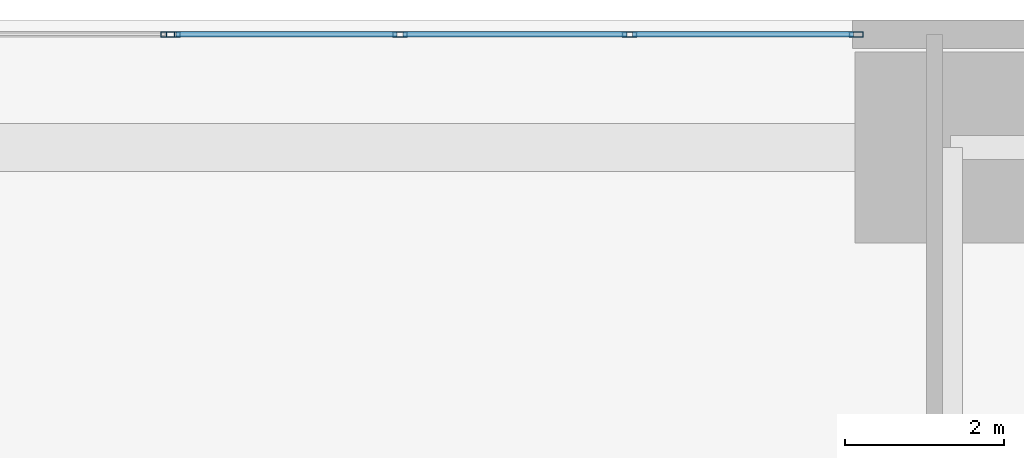
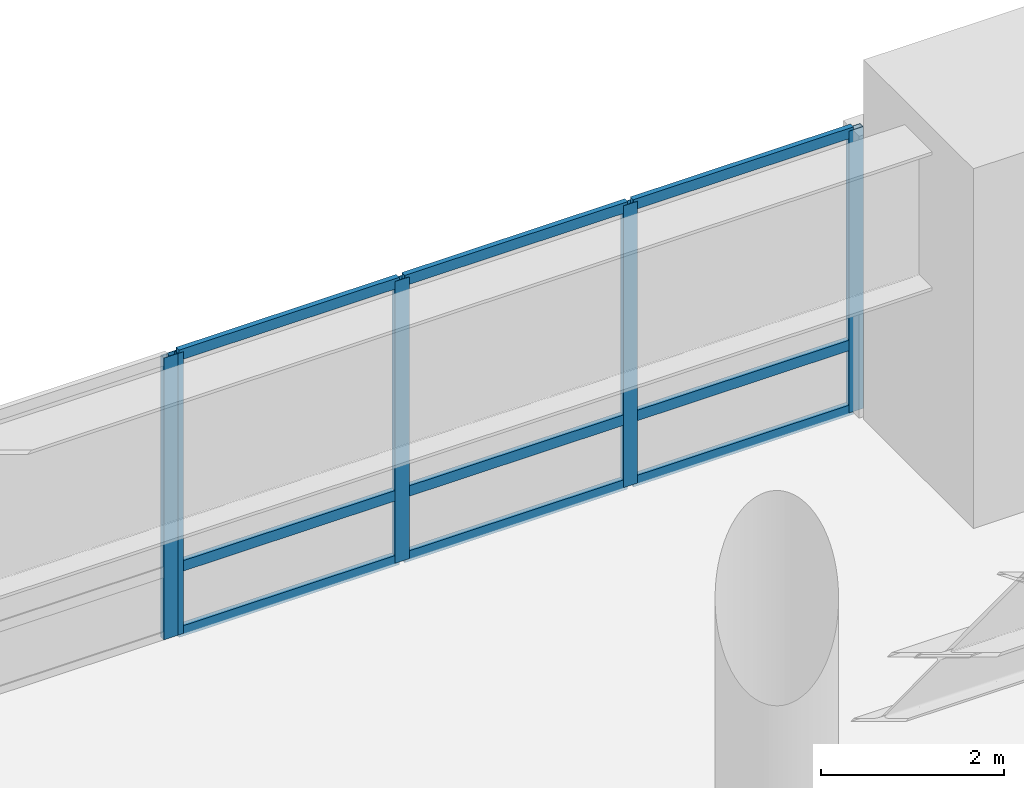
# One storey, part 12 of 17: 14 members, 2 elements without a shape of their own.
"""IFC4 building model written with IfcOpenShell, lengths in metres."""

from ifc_helpers import new_model, si_unit, direction, frame, origin, origin_2d, place, context, subcontext, project, spatial, hollow_rectangle, extrude, material, layer, layer_set, material_profile, profile_set, type_object, element, aggregate, save


model = new_model("IFC4")

# Units and contexts
model_context = context("Model", 3, precision=1e-05, world=origin(), true_north=direction((0.0, 1.0)))
body_context = subcontext(model_context, "Body", "Model", "MODEL_VIEW")
ifc_project = project(units=[si_unit("LENGTHUNIT", "METRE"), si_unit("AREAUNIT", "SQUARE_METRE"), si_unit("VOLUMEUNIT", "CUBIC_METRE"), si_unit("PLANEANGLEUNIT", "RADIAN"), si_unit("MASSUNIT", "GRAM", prefix="KILO"), si_unit("THERMODYNAMICTEMPERATUREUNIT", "KELVIN"), si_unit("POWERUNIT", "WATT")], contexts=[model_context])

# Site, building, storey
site_placement = place(None, origin())
site = spatial("IfcSite", under=ifc_project, at=site_placement, CompositionType="ELEMENT")
building_placement = place(site_placement, origin())
building = spatial("IfcBuilding", under=site, at=building_placement, Name="Ocrelia Relay Tower", CompositionType="ELEMENT")
storey_placement = place(building_placement, frame((0.0, 0.0, 15.60009765625)))
storey = spatial("IfcBuildingStorey", under=building, at=storey_placement, Name="L03", CompositionType="ELEMENT", Elevation=15.60009765625)

# Curtain wall, member
ifc_material_1 = material(Name="Aluminium and solar-control low-E glass", Category="aluminium")
ifc_layer = layer(ifc_material_1, 0.179931640625, Name="Aluminium and solar-control low-E glass")
ifc_layer_set = layer_set([ifc_layer], Name="Aluminium and solar-control low-E glass")
curtain_wall_type = type_object("IfcCurtainWallType", Name="CW-SYS-POD-GALL", PredefinedType="NOTDEFINED", material=ifc_layer_set)
curtain_wall_1_placement = place(storey_placement, origin())
curtain_wall_1 = element("IfcCurtainWall", 1, at=curtain_wall_1_placement, inside=storey, type_object=curtain_wall_type, Name="L03 North Over-Arch Curtain Wall West", PredefinedType="NOTDEFINED")
ifc_material_2 = material(Name="Anodised bronze aluminium", Category="aluminium")
ifc_material_profile_1 = material_profile(ifc_material_2, hollow_rectangle(XDim=0.070068359375, YDim=0.179931640625, WallThickness=0.006103515625, at=origin_2d()), Name="CW-MUL-180x70")
ifc_profile_set_1 = profile_set([ifc_material_profile_1], Name="Anodised bronze aluminium")
member_type_1 = type_object("IfcMemberType", Name="CW-SYS-POD-GALL-MUL", PredefinedType="MULLION", material=ifc_profile_set_1)
member_1_placement = place(storey_placement, frame((33.965087890625, 51.820068359375, 0.0), z_axis=(0.0, 0.0, 1.0), x_axis=(0.0, 1.0, 0.0)))
member_1 = element("IfcMember", 2, at=member_1_placement, type_object=member_type_1, Name="CW-PG mullion 4", PredefinedType="MULLION", context=body_context, shape_type="SweptSolid", body=[
    extrude(hollow_rectangle(XDim=0.070068359375, YDim=0.179931640625, WallThickness=0.006103515625, at=origin_2d()), origin(), (0.0, 0.0, 1.0), 3.760009765625),
])
aggregate(curtain_wall_1, [member_1])

# Curtain wall, members
curtain_wall_2_placement = place(storey_placement, origin())
curtain_wall_2 = element("IfcCurtainWall", 3, at=curtain_wall_2_placement, inside=storey, type_object=curtain_wall_type, Name="L03 North Over-Arch Curtain Wall East", PredefinedType="NOTDEFINED")
member_2_placement = place(storey_placement, frame((34.034912109375, 51.820068359375, 0.0), z_axis=(0.0, 0.0, 1.0), x_axis=(0.0, 1.0, 0.0)))
member_2 = element("IfcMember", 4, at=member_2_placement, type_object=member_type_1, Name="CW-PG mullion 1", PredefinedType="MULLION", context=body_context, shape_type="SweptSolid", body=[
    extrude(hollow_rectangle(XDim=0.070068359375, YDim=0.179931640625, WallThickness=0.006103515625, at=origin_2d()), origin(), (0.0, 0.0, 1.0), 3.760009765625),
])
member_3_placement = place(storey_placement, frame((36.88330078125, 51.820068359375, 0.0), z_axis=(0.0, 0.0, 1.0), x_axis=(0.0, 1.0, 0.0)))
member_3 = element("IfcMember", 5, at=member_3_placement, type_object=member_type_1, Name="CW-PG mullion 2", PredefinedType="MULLION", context=body_context, shape_type="SweptSolid", body=[
    extrude(hollow_rectangle(XDim=0.070068359375, YDim=0.179931640625, WallThickness=0.006103515625, at=origin_2d()), origin(), (0.0, 0.0, 1.0), 3.760009765625),
])
member_4_placement = place(storey_placement, frame((39.7666015625, 51.820068359375, 0.0), z_axis=(0.0, 0.0, 1.0), x_axis=(0.0, 1.0, 0.0)))
member_4 = element("IfcMember", 6, at=member_4_placement, type_object=member_type_1, Name="CW-PG mullion 3", PredefinedType="MULLION", context=body_context, shape_type="SweptSolid", body=[
    extrude(hollow_rectangle(XDim=0.070068359375, YDim=0.179931640625, WallThickness=0.006103515625, at=origin_2d()), origin(), (0.0, 0.0, 1.0), 3.760009765625),
])
member_5_placement = place(storey_placement, frame((42.614990234375, 51.820068359375, 0.0), z_axis=(0.0, 0.0, 1.0), x_axis=(0.0, 1.0, 0.0)))
member_5 = element("IfcMember", 7, at=member_5_placement, type_object=member_type_1, Name="CW-PG mullion 4", PredefinedType="MULLION", context=body_context, shape_type="SweptSolid", body=[
    extrude(hollow_rectangle(XDim=0.070068359375, YDim=0.179931640625, WallThickness=0.006103515625, at=origin_2d()), origin(), (0.0, 0.0, 1.0), 3.760009765625),
])
ifc_material_profile_2 = material_profile(ifc_material_2, hollow_rectangle(XDim=0.06494140625, YDim=0.139892578125, WallThickness=0.0048828125, at=origin_2d()), Name="CW-TRN-140x65")
ifc_profile_set_2 = profile_set([ifc_material_profile_2], Name="Anodised bronze aluminium")
member_type_2 = type_object("IfcMemberType", Name="CW-SYS-POD-GALL-TRN", PredefinedType="USERDEFINED", material=ifc_profile_set_2)
member_6_placement = place(storey_placement, frame((34.070068359375, 51.820068359375, 0.032470703125), z_axis=(1.0, 0.0, 0.0), x_axis=(0.0, 1.0, 0.0)))
member_6 = element("IfcMember", 8, at=member_6_placement, type_object=member_type_2, Name="CW-PG transom 1.1", ObjectType="TRANSOM", PredefinedType="USERDEFINED", context=body_context, shape_type="SweptSolid", body=[
    extrude(hollow_rectangle(XDim=0.06494140625, YDim=0.139892578125, WallThickness=0.0048828125, at=origin_2d()), origin(), (0.0, 0.0, 1.0), 2.7783203125),
])
member_7_placement = place(storey_placement, frame((34.070068359375, 51.820068359375, 0.89990234375), z_axis=(1.0, 0.0, 0.0), x_axis=(0.0, 1.0, 0.0)))
member_7 = element("IfcMember", 9, at=member_7_placement, type_object=member_type_2, Name="CW-PG transom 1.2", ObjectType="TRANSOM", PredefinedType="USERDEFINED", context=body_context, shape_type="SweptSolid", body=[
    extrude(hollow_rectangle(XDim=0.06494140625, YDim=0.139892578125, WallThickness=0.0048828125, at=origin_2d()), origin(), (0.0, 0.0, 1.0), 2.7783203125),
])
member_8_placement = place(storey_placement, frame((34.070068359375, 51.820068359375, 3.727294921875), z_axis=(1.0, 0.0, 0.0), x_axis=(0.0, 1.0, 0.0)))
member_8 = element("IfcMember", 10, at=member_8_placement, type_object=member_type_2, Name="CW-PG transom 1.3", ObjectType="TRANSOM", PredefinedType="USERDEFINED", context=body_context, shape_type="SweptSolid", body=[
    extrude(hollow_rectangle(XDim=0.06494140625, YDim=0.139892578125, WallThickness=0.0048828125, at=origin_2d()), origin(), (0.0, 0.0, 1.0), 2.7783203125),
])
member_9_placement = place(storey_placement, frame((36.918212890625, 51.820068359375, 0.032470703125), z_axis=(1.0, 0.0, 0.0), x_axis=(0.0, 1.0, 0.0)))
member_9 = element("IfcMember", 11, at=member_9_placement, type_object=member_type_2, Name="CW-PG transom 2.1", ObjectType="TRANSOM", PredefinedType="USERDEFINED", context=body_context, shape_type="SweptSolid", body=[
    extrude(hollow_rectangle(XDim=0.06494140625, YDim=0.139892578125, WallThickness=0.0048828125, at=origin_2d()), origin(), (0.0, 0.0, 1.0), 2.8134765625),
])
member_10_placement = place(storey_placement, frame((36.918212890625, 51.820068359375, 0.89990234375), z_axis=(1.0, 0.0, 0.0), x_axis=(0.0, 1.0, 0.0)))
member_10 = element("IfcMember", 12, at=member_10_placement, type_object=member_type_2, Name="CW-PG transom 2.2", ObjectType="TRANSOM", PredefinedType="USERDEFINED", context=body_context, shape_type="SweptSolid", body=[
    extrude(hollow_rectangle(XDim=0.06494140625, YDim=0.139892578125, WallThickness=0.0048828125, at=origin_2d()), origin(), (0.0, 0.0, 1.0), 2.8134765625),
])
member_11_placement = place(storey_placement, frame((36.918212890625, 51.820068359375, 3.727294921875), z_axis=(1.0, 0.0, 0.0), x_axis=(0.0, 1.0, 0.0)))
member_11 = element("IfcMember", 13, at=member_11_placement, type_object=member_type_2, Name="CW-PG transom 2.3", ObjectType="TRANSOM", PredefinedType="USERDEFINED", context=body_context, shape_type="SweptSolid", body=[
    extrude(hollow_rectangle(XDim=0.06494140625, YDim=0.139892578125, WallThickness=0.0048828125, at=origin_2d()), origin(), (0.0, 0.0, 1.0), 2.8134765625),
])
member_12_placement = place(storey_placement, frame((39.8017578125, 51.820068359375, 0.032470703125), z_axis=(1.0, 0.0, 0.0), x_axis=(0.0, 1.0, 0.0)))
member_12 = element("IfcMember", 14, at=member_12_placement, type_object=member_type_2, Name="CW-PG transom 3.1", ObjectType="TRANSOM", PredefinedType="USERDEFINED", context=body_context, shape_type="SweptSolid", body=[
    extrude(hollow_rectangle(XDim=0.06494140625, YDim=0.139892578125, WallThickness=0.0048828125, at=origin_2d()), origin(), (0.0, 0.0, 1.0), 2.7783203125),
])
member_13_placement = place(storey_placement, frame((39.8017578125, 51.820068359375, 0.89990234375), z_axis=(1.0, 0.0, 0.0), x_axis=(0.0, 1.0, 0.0)))
member_13 = element("IfcMember", 15, at=member_13_placement, type_object=member_type_2, Name="CW-PG transom 3.2", ObjectType="TRANSOM", PredefinedType="USERDEFINED", context=body_context, shape_type="SweptSolid", body=[
    extrude(hollow_rectangle(XDim=0.06494140625, YDim=0.139892578125, WallThickness=0.0048828125, at=origin_2d()), origin(), (0.0, 0.0, 1.0), 2.7783203125),
])
member_14_placement = place(storey_placement, frame((39.8017578125, 51.820068359375, 3.727294921875), z_axis=(1.0, 0.0, 0.0), x_axis=(0.0, 1.0, 0.0)))
member_14 = element("IfcMember", 16, at=member_14_placement, type_object=member_type_2, Name="CW-PG transom 3.3", ObjectType="TRANSOM", PredefinedType="USERDEFINED", context=body_context, shape_type="SweptSolid", body=[
    extrude(hollow_rectangle(XDim=0.06494140625, YDim=0.139892578125, WallThickness=0.0048828125, at=origin_2d()), origin(), (0.0, 0.0, 1.0), 2.7783203125),
])
aggregate(curtain_wall_2, [member_2, member_3, member_4, member_5, member_6, member_7, member_8, member_9, member_10, member_11, member_12, member_13, member_14])

save(model, "model.ifc")
